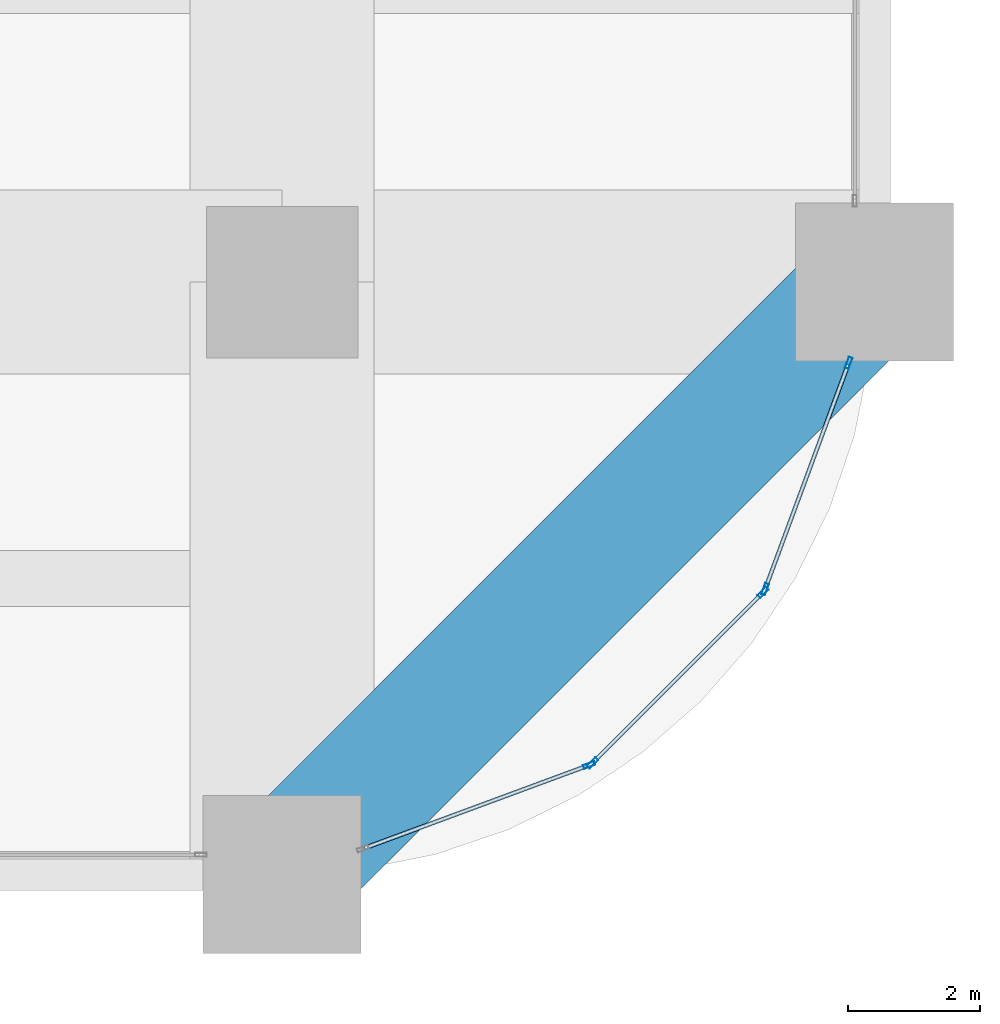
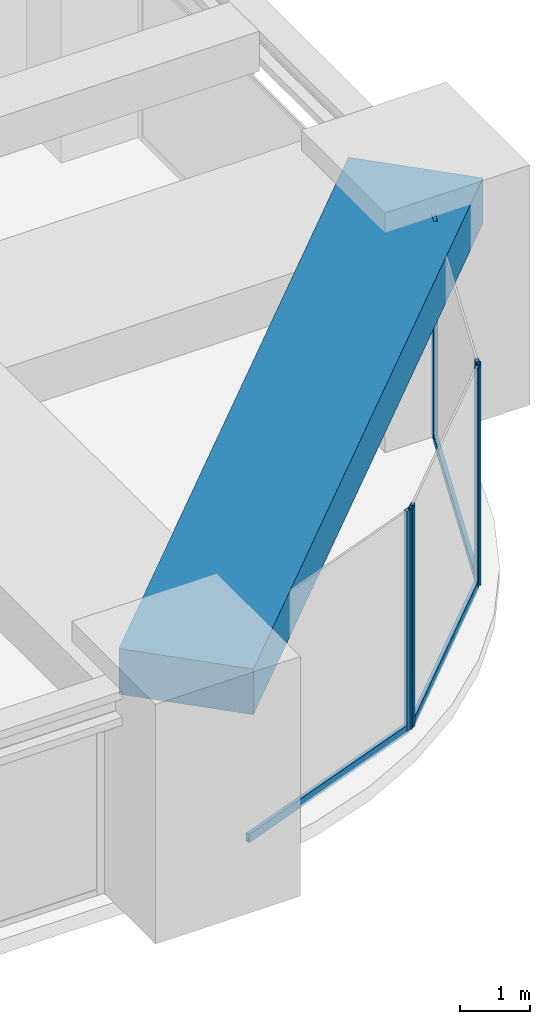
# One storey, part 15 of 42: 8 members, 1 beam, 3 elements without a shape of their own.
"""IFC4 building model written with IfcOpenShell, lengths in metres."""

from ifc_helpers import new_model, si_unit, direction, frame, origin, origin_2d, place, context, subcontext, project, spatial, rectangle, hollow_rectangle, extrude, material, material_profile, profile_set, type_object, element, aggregate, save


model = new_model("IFC4")

# Units and contexts
model_context = context("Model", 3, precision=1e-05, world=origin(), true_north=direction((0.0, 1.0)))
body_context = subcontext(model_context, "Body", "Model", "MODEL_VIEW")
ifc_project = project(units=[si_unit("LENGTHUNIT", "METRE"), si_unit("AREAUNIT", "SQUARE_METRE"), si_unit("VOLUMEUNIT", "CUBIC_METRE"), si_unit("PLANEANGLEUNIT", "RADIAN"), si_unit("MASSUNIT", "GRAM", prefix="KILO")], contexts=[model_context])

# Site, building, storey
site_placement = place(None, origin())
site = spatial("IfcSite", under=ifc_project, at=site_placement, CompositionType="ELEMENT")
building_placement = place(site_placement, origin())
building = spatial("IfcBuilding", under=site, at=building_placement, Name="Zorevar Civic Tower", CompositionType="ELEMENT")
storey_placement = place(building_placement, frame((0.0, 0.0, 75.800048828125)))
storey = spatial("IfcBuildingStorey", under=building, at=storey_placement, Name="L18", CompositionType="ELEMENT", Elevation=75.800048828125)

# Curtain wall, member
ifc_material_1 = material(Name="Dark grey solar-control glass in black aluminium frame", Category="aluminium")
curtain_wall_type = type_object("IfcCurtainWallType", Name="Curtain wall CW2 low zone", PredefinedType="NOTDEFINED", material=ifc_material_1)
curtain_wall_1_placement = place(storey_placement, origin())
curtain_wall_1 = element("IfcCurtainWall", 1, at=curtain_wall_1_placement, inside=storey, type_object=curtain_wall_type, Name="CW2 L18", PredefinedType="NOTDEFINED")
ifc_material_2 = material(Name="Aluminium, black anodised", Category="aluminium")
ifc_material_profile_1 = material_profile(ifc_material_2, hollow_rectangle(XDim=0.06005859375, YDim=0.179931640625, WallThickness=0.00390625, at=origin_2d()), Name="AL 180x60x4")
ifc_profile_set_1 = profile_set([ifc_material_profile_1], Name="Aluminium, black anodised")
member_type_1 = type_object("IfcMemberType", Name="CW2 mullion AL 180x60x4", PredefinedType="MULLION", material=ifc_profile_set_1)
member_1_placement = place(storey_placement, frame((58.66455078125, 1.663818359375, 0.0), z_axis=(0.0, 0.0, 1.0), x_axis=(-0.346704012033, 0.937974588163, 0.0)))
member_1 = element("IfcMember", 2, at=member_1_placement, type_object=member_type_1, Name="CW2 mullion 2", PredefinedType="MULLION", context=body_context, shape_type="SweptSolid", body=[
    extrude(hollow_rectangle(XDim=0.06005859375, YDim=0.179931640625, WallThickness=0.00390625, at=origin_2d()), origin(), (0.0, 0.0, 1.0), 3.849853515625),
])

# Curtain wall, members
curtain_wall_2_placement = place(storey_placement, origin())
curtain_wall_2 = element("IfcCurtainWall", 3, at=curtain_wall_2_placement, inside=storey, type_object=curtain_wall_type, Name="CW2 L18", PredefinedType="NOTDEFINED")
member_2_placement = place(storey_placement, frame((58.7138671875, 1.6953125, 0.0), z_axis=(0.0, 0.0, 1.0), x_axis=(-0.707106781187, 0.707106781187, 0.0)))
member_2 = element("IfcMember", 4, at=member_2_placement, type_object=member_type_1, Name="CW2 mullion 1", PredefinedType="MULLION", context=body_context, shape_type="SweptSolid", body=[
    extrude(hollow_rectangle(XDim=0.06005859375, YDim=0.179931640625, WallThickness=0.00390625, at=origin_2d()), origin(), (0.0, 0.0, 1.0), 3.849853515625),
])
member_3_placement = place(storey_placement, frame((61.3046875, 4.2861328125, 0.0), z_axis=(0.0, 0.0, 1.0), x_axis=(-0.707106781187, 0.707106781187, 0.0)))
member_3 = element("IfcMember", 5, at=member_3_placement, type_object=member_type_1, Name="CW2 mullion 2", PredefinedType="MULLION", context=body_context, shape_type="SweptSolid", body=[
    extrude(hollow_rectangle(XDim=0.06005859375, YDim=0.179931640625, WallThickness=0.00390625, at=origin_2d()), origin(), (0.0, 0.0, 1.0), 3.849853515625),
])

curtain_wall_3_placement = place(storey_placement, origin())
curtain_wall_3 = element("IfcCurtainWall", 6, at=curtain_wall_3_placement, inside=storey, type_object=curtain_wall_type, Name="CW2 L18", PredefinedType="NOTDEFINED")
member_4_placement = place(storey_placement, frame((61.336181640625, 4.33544921875, 0.0), z_axis=(0.0, 0.0, 1.0), x_axis=(-0.937974588163, 0.346704012033, 0.0)))
member_4 = element("IfcMember", 7, at=member_4_placement, type_object=member_type_1, Name="CW2 mullion 1", PredefinedType="MULLION", context=body_context, shape_type="SweptSolid", body=[
    extrude(hollow_rectangle(XDim=0.06005859375, YDim=0.179931640625, WallThickness=0.00390625, at=origin_2d()), origin(), (0.0, 0.0, 1.0), 3.849853515625),
])
member_5_placement = place(storey_placement, frame((62.6064453125, 7.77197265625, 0.0), z_axis=(0.0, 0.0, 1.0), x_axis=(-0.937974588163, 0.346704012033, 0.0)))
member_5 = element("IfcMember", 8, at=member_5_placement, type_object=member_type_1, Name="CW2 mullion 2", PredefinedType="MULLION", context=body_context, shape_type="SweptSolid", body=[
    extrude(hollow_rectangle(XDim=0.06005859375, YDim=0.179931640625, WallThickness=0.00390625, at=origin_2d()), origin(), (0.0, 0.0, 1.0), 3.849853515625),
])

# Member
ifc_material_3 = material(Name="Aluminium, black anodised", Category="aluminium")
ifc_material_profile_2 = material_profile(ifc_material_3, hollow_rectangle(XDim=0.06005859375, YDim=0.14990234375, WallThickness=0.00390625, at=origin_2d()), Name="AL 150x60x4")
ifc_profile_set_2 = profile_set([ifc_material_profile_2], Name="Aluminium, black anodised")
member_type_2 = type_object("IfcMemberType", Name="CW2 transom AL 150x60x4", PredefinedType="USERDEFINED", material=ifc_profile_set_2)
member_6_placement = place(storey_placement, frame((55.25634765625, 0.404052734375, 0.030029296875), z_axis=(0.93798635741, 0.346672169799, 0.0), x_axis=(-0.346672169799, 0.93798635741, 0.0)))
member_6 = element("IfcMember", 9, at=member_6_placement, type_object=member_type_2, Name="CW2 sill transom", ObjectType="TRANSOM", PredefinedType="USERDEFINED", context=body_context, shape_type="SweptSolid", body=[
    extrude(hollow_rectangle(XDim=0.06005859375, YDim=0.14990234375, WallThickness=0.00390625, at=origin_2d()), origin(), (0.0, 0.0, 1.0), 3.603515625),
])

aggregate(curtain_wall_1, [member_1, member_6])

member_7_placement = place(storey_placement, frame((58.735107421875, 1.716552734375, 0.030029296875), z_axis=(0.707106781187, 0.707106781187, 0.0), x_axis=(-0.707106781187, 0.707106781187, 0.0)))
member_7 = element("IfcMember", 10, at=member_7_placement, type_object=member_type_2, Name="CW2 sill transom", ObjectType="TRANSOM", PredefinedType="USERDEFINED", context=body_context, shape_type="SweptSolid", body=[
    extrude(hollow_rectangle(XDim=0.06005859375, YDim=0.14990234375, WallThickness=0.00390625, at=origin_2d()), origin(), (0.0, 0.0, 1.0), 3.60400390625),
])

aggregate(curtain_wall_2, [member_2, member_3, member_7])

member_8_placement = place(storey_placement, frame((61.3466796875, 4.363525390625, 0.030029296875), z_axis=(0.346672169799, 0.93798635741, 0.0), x_axis=(-0.93798635741, 0.346672169799, 0.0)))
member_8 = element("IfcMember", 11, at=member_8_placement, type_object=member_type_2, Name="CW2 sill transom", ObjectType="TRANSOM", PredefinedType="USERDEFINED", context=body_context, shape_type="SweptSolid", body=[
    extrude(hollow_rectangle(XDim=0.06005859375, YDim=0.14990234375, WallThickness=0.00390625, at=origin_2d()), origin(), (0.0, 0.0, 1.0), 3.603515625),
])

aggregate(curtain_wall_3, [member_4, member_5, member_8])

# Beam
ifc_material_4 = material(Name="Concrete C50/60", Category="concrete")
ifc_material_profile_3 = material_profile(ifc_material_4, rectangle(XDim=2.0, YDim=0.800048828125, at=origin_2d()), Name="RC 2000x800")
ifc_profile_set_3 = profile_set([ifc_material_profile_3], Name="Concrete C50/60")
beam_type = type_object("IfcBeamType", Name="Edge beam RC 2000x800", PredefinedType="SPANDREL", material=ifc_profile_set_3)
beam_placement = place(storey_placement, frame((54.0, 0.0, 3.449951171875), z_axis=(0.707106781187, 0.707106781187, 0.0), x_axis=(-0.707106781187, 0.707106781187, 0.0)))
element("IfcBeam", 12, at=beam_placement, inside=storey, type_object=beam_type, Name="Corner edge beam L19", PredefinedType="SPANDREL", context=body_context, shape_type="SweptSolid", body=[
    extrude(rectangle(XDim=2.0, YDim=0.800048828125, at=origin_2d()), origin(), (0.0, 0.0, 1.0), 12.72802734375),
])

save(model, "model.ifc")
